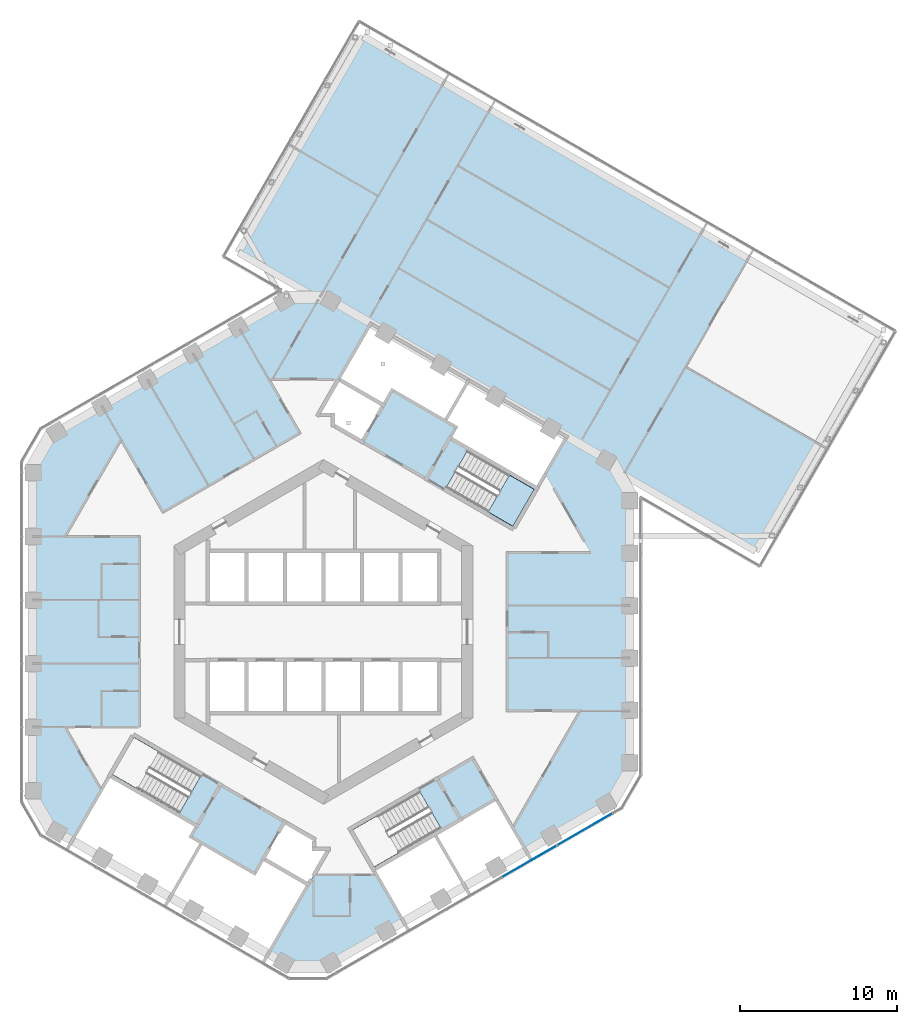
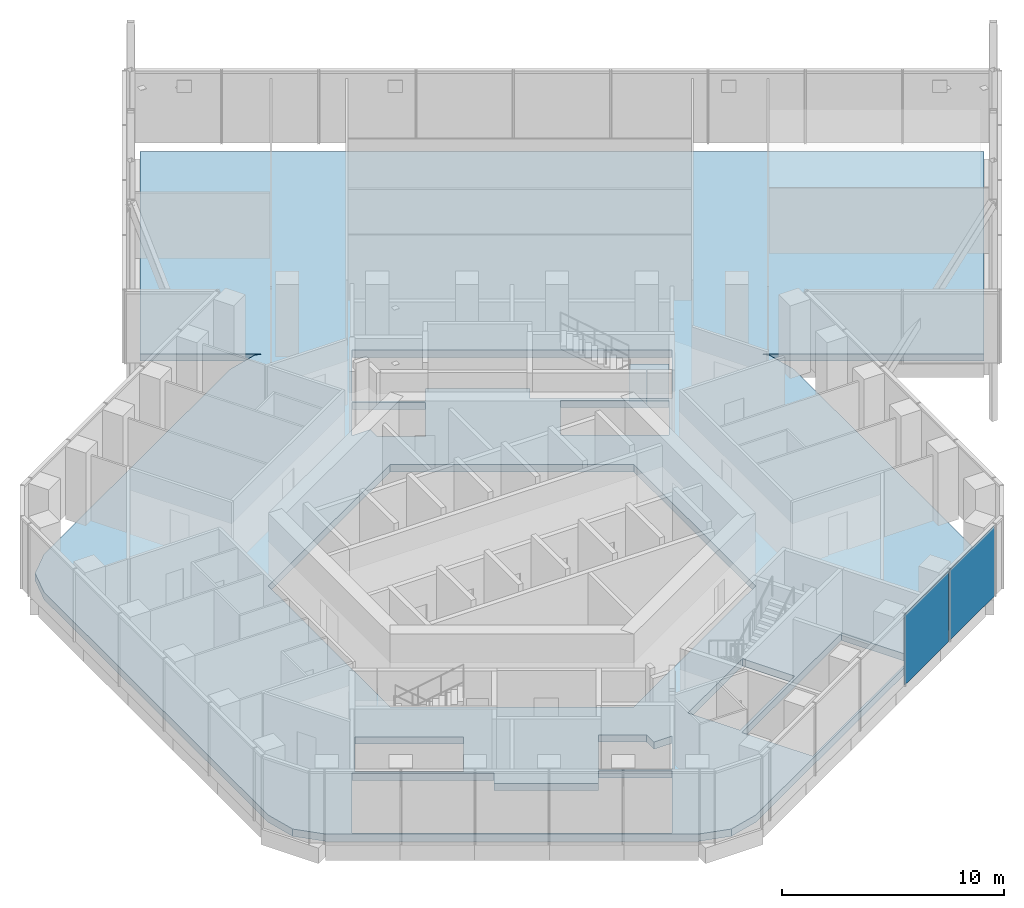
# One storey, part 13 of 25: 2 plates, 2 slabs, 2 elements without a shape of their own.
"""IFC4 building model written with IfcOpenShell, lengths in metres."""

from ifc_helpers import new_model, si_unit, direction, frame, origin, origin_2d, place, context, subcontext, project, spatial, polyline, rectangle, outline, extrude, material, layer, layer_set, type_object, element, aggregate, save


model = new_model("IFC4")

# Units and contexts
model_context = context("Model", 3, precision=1e-05, world=origin(), true_north=direction((0.0, 1.0)))
body_context = subcontext(model_context, "Body", "Model", "MODEL_VIEW")
ifc_project = project(units=[si_unit("LENGTHUNIT", "METRE"), si_unit("AREAUNIT", "SQUARE_METRE"), si_unit("VOLUMEUNIT", "CUBIC_METRE"), si_unit("PLANEANGLEUNIT", "RADIAN"), si_unit("MASSUNIT", "GRAM", prefix="KILO")], contexts=[model_context])

# Site, building, storey
site_placement = place(None, origin())
site = spatial("IfcSite", under=ifc_project, at=site_placement, CompositionType="ELEMENT")
building_placement = place(site_placement, origin())
building = spatial("IfcBuilding", under=site, at=building_placement, Name="Ayvan Gate Tower", CompositionType="ELEMENT")
storey_placement = place(building_placement, frame((0.0, 0.0, 139.89990234375)))
storey = spatial("IfcBuildingStorey", under=building, at=storey_placement, Name="L37", CompositionType="ELEMENT", Elevation=139.89990234375)

# Slab
ifc_material_1 = material(Name="Concrete C40/50", Category="concrete")
ifc_layer_1 = layer(ifc_material_1, 0.39990234375)
ifc_layer_set_1 = layer_set([ifc_layer_1], Name="Concrete C40/50")
slab_type_1 = type_object("IfcSlabType", Name="Post-tensioned flat slab 400", PredefinedType="FLOOR", material=ifc_layer_set_1)
slab_1_placement = place(storey_placement, frame((0.0, 0.0, -0.39990234375)))
element("IfcSlab", 1, at=slab_1_placement, inside=storey, type_object=slab_type_1, Name="SL-L37", PredefinedType="FLOOR", context=body_context, shape_type="SweptSolid", body=[
    extrude(outline(polyline([(-18.09228515625, -11.59033203125), (-18.494140625, -10.09033203125), (-18.494140625, 10.09033203125), (-18.09228515625, 11.59033203125), (-16.994140625, 12.6884765625), (-2.491455078125, 21.0615234375), (-0.991455078125, 21.46337890625), (-0.611083984375, 21.361572265625), (-5.408935546875, 24.131591796875), (2.526123046875, 37.875244140625), (35.43505859375, 18.875244140625), (27.5, 5.131591796875), (18.80517578125, 10.151611328125), (19.083740234375, 9.873046875), (19.485595703125, 8.373046875), (19.485595703125, -8.373046875), (19.083740234375, -9.873046875), (17.985595703125, -10.97119140625), (0.508544921875, -21.0615234375), (-0.991455078125, -21.46337890625), (-2.491455078125, -21.0615234375), (-16.994140625, -12.6884765625), (-18.09228515625, -11.59033203125)]), holes=[polyline([(8.44287109375, 13.0234375), (8.042724609375, 12.33056640625), (13.58544921875, 9.130615234375), (15.482421875, 12.416259765625), (9.2470703125, 16.016357421875), (3.01171875, 19.616455078125), (1.0146484375, 16.157470703125), (3.87255859375, 14.50732421875), (4.37255859375, 15.373291015625), (7.75, 13.42333984375), (8.44287109375, 13.0234375)]), polyline([(7.80615234375, 9.170654296875), (12.049560546875, 6.720458984375), (13.404541015625, 9.0673828125), (9.1611328125, 11.517578125), (7.80615234375, 9.170654296875)]), polyline([(3.408447265625, -15.50390625), (5.0400390625, -18.329833984375), (12.83447265625, -13.829833984375), (12.740234375, -13.666748046875), (12.06884765625, -12.50390625), (11.49560546875, -11.510986328125), (10.9873046875, -10.630615234375), (8.735595703125, -11.9306640625), (7.090087890625, -12.880615234375), (3.193115234375, -15.130615234375), (3.408447265625, -15.50390625)]), polyline([(-9.5, -5.48486328125), (0.0, -10.9697265625), (9.5, -5.48486328125), (9.5, 5.48486328125), (0.0, 10.9697265625), (-9.5, 5.48486328125), (-9.5, -5.48486328125)]), polyline([(6.117431640625, -10.1455078125), (1.873779296875, -12.595458984375), (3.228759765625, -14.9423828125), (7.472412109375, -12.492431640625), (6.117431640625, -10.1455078125)]), polyline([(0.964599609375, 16.07080078125), (-0.340576171875, 13.81005859375), (0.60009765625, 13.81005859375), (0.60009765625, 13.16357421875), (2.472412109375, 12.08251953125), (3.822509765625, 14.420654296875), (0.964599609375, 16.07080078125)]), polyline([(-0.60009765625, -13.16357421875), (-2.472412109375, -12.08251953125), (-3.822509765625, -14.420654296875), (-0.964599609375, -16.07080078125), (-0.614013671875, -15.46337890625), (0.340576171875, -13.81005859375), (-0.60009765625, -13.81005859375), (-0.60009765625, -13.16357421875)]), polyline([(-15.92822265625, -13.1884765625), (-3.45751953125, -20.388427734375), (-1.0146484375, -16.157470703125), (-3.87255859375, -14.50732421875), (-4.37255859375, -15.373291015625), (-7.77587890625, -13.408447265625), (-8.44287109375, -13.0234375), (-8.042724609375, -12.33056640625), (-13.58544921875, -9.130615234375), (-15.92822265625, -13.1884765625)]), polyline([(-13.404541015625, -9.0673828125), (-9.1611328125, -11.517578125), (-7.80615234375, -9.170654296875), (-12.049560546875, -6.720458984375), (-13.404541015625, -9.0673828125)])]), origin(), (0.0, 0.0, 1.0), 0.39990234375),
])

# Stair, slab
stair_type = type_object("IfcStairType", Name="ST-EXIT", PredefinedType="HALF_TURN_STAIR", material=ifc_material_1)
stair_placement = place(storey_placement, origin())
stair = element("IfcStair", 2, at=stair_placement, inside=storey, type_object=stair_type, Name="L37 Exit Stair S1", PredefinedType="HALF_TURN_STAIR")
ifc_layer_2 = layer(ifc_material_1, 0.199951171875)
ifc_layer_set_2 = layer_set([ifc_layer_2], Name="Concrete C40/50")
slab_type_2 = type_object("IfcSlabType", Name="SL-LANDING-200", PredefinedType="LANDING", material=ifc_layer_set_2)
slab_2_placement = place(storey_placement, frame((0.0, 0.0, 1.800048828125)))
slab_2 = element("IfcSlab", 3, at=slab_2_placement, type_object=slab_type_2, Name="STS1 landing 1", PredefinedType="LANDING", context=body_context, shape_type="SweptSolid", body=[
    extrude(outline(polyline([(10.473388671875, 7.630615234375), (12.049560546875, 6.720458984375), (13.404541015625, 9.0673828125), (11.828369140625, 9.9775390625), (10.473388671875, 7.630615234375)])), origin(), (0.0, 0.0, 1.0), 0.199951171875),
])
aggregate(stair, [slab_2])

# Curtain wall, plates
ifc_material_2 = material(Name="Bronze anodised aluminium", Category="aluminium")
ifc_layer_3 = layer(ifc_material_2, 0.199951171875)
ifc_layer_set_3 = layer_set([ifc_layer_3], Name="Bronze anodised aluminium")
curtain_wall_type = type_object("IfcCurtainWallType", Name="Stick curtain wall CW-1", PredefinedType="NOTDEFINED", material=ifc_layer_set_3)
curtain_wall_placement = place(storey_placement, origin())
curtain_wall = element("IfcCurtainWall", 4, at=curtain_wall_placement, inside=storey, type_object=curtain_wall_type, Name="Stick curtain wall CW-1 L37", PredefinedType="NOTDEFINED")
ifc_material_3 = material(Name="Clear low-iron laminated glass", Category="glass")
ifc_layer_4 = layer(ifc_material_3, 0.028076171875)
ifc_layer_set_4 = layer_set([ifc_layer_4], Name="Clear low-iron laminated glass")
plate_type = type_object("IfcPlateType", Name="Stick curtain wall CW-1 glass panel", PredefinedType="CURTAIN_PANEL", material=ifc_layer_set_4)
plate_1_placement = place(storey_placement, frame((13.099609375, -14.600341796875, 0.000244140625), z_axis=(0.0, 0.0, 1.0), x_axis=(0.866025403784, 0.5, 0.0)))
plate_1 = element("IfcPlate", 5, at=plate_1_placement, type_object=plate_type, Name="CW-1 glass panel 4", PredefinedType="CURTAIN_PANEL", context=body_context, shape_type="SweptSolid", body=[
    extrude(rectangle(XDim=3.98388671875, YDim=0.028076171875, at=origin_2d()), origin(), (0.0, 0.0, 1.0), 3.8798828125),
])
plate_2_placement = place(storey_placement, frame((16.633056640625, -12.560302734375, 0.000244140625), z_axis=(0.0, 0.0, 1.0), x_axis=(0.866025403784, 0.5, 0.0)))
plate_2 = element("IfcPlate", 6, at=plate_2_placement, type_object=plate_type, Name="CW-1 glass panel 5", PredefinedType="CURTAIN_PANEL", context=body_context, shape_type="SweptSolid", body=[
    extrude(rectangle(XDim=4.05615234375, YDim=0.028076171875, at=origin_2d()), origin(), (0.0, 0.0, 1.0), 3.8798828125),
])
aggregate(curtain_wall, [plate_1, plate_2])

save(model, "model.ifc")
